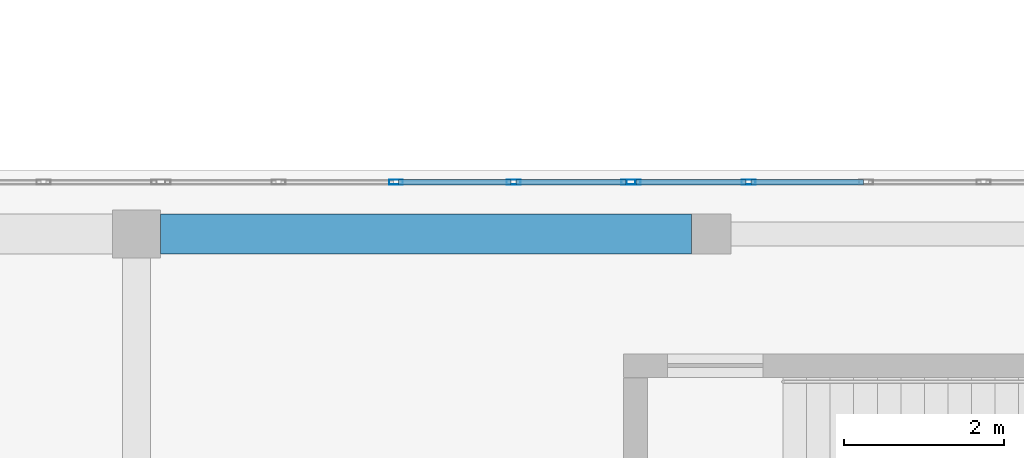
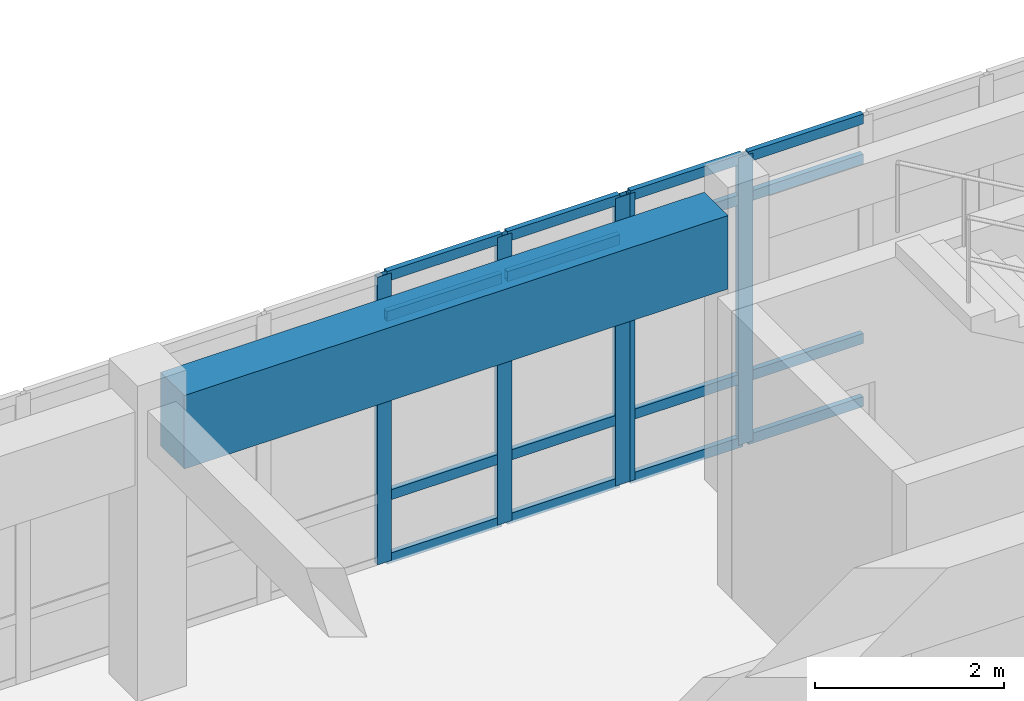
# One storey, part 23 of 91: 21 members, 1 beam, 2 elements without a shape of their own.
"""IFC4 building model written with IfcOpenShell, lengths in metres."""

from ifc_helpers import new_model, si_unit, direction, frame, origin, origin_2d, place, context, subcontext, project, spatial, rectangle, hollow_rectangle, extrude, material, layer, layer_set, material_profile, profile_set, type_object, element, aggregate, save


model = new_model("IFC4")

# Units and contexts
model_context = context("Model", 3, precision=1e-05, world=origin(), true_north=direction((0.0, 1.0)))
body_context = subcontext(model_context, "Body", "Model", "MODEL_VIEW")
ifc_project = project(units=[si_unit("LENGTHUNIT", "METRE"), si_unit("AREAUNIT", "SQUARE_METRE"), si_unit("VOLUMEUNIT", "CUBIC_METRE"), si_unit("PLANEANGLEUNIT", "RADIAN"), si_unit("MASSUNIT", "GRAM", prefix="KILO")], contexts=[model_context])

# Site, building, storey
site_placement = place(None, origin())
site = spatial("IfcSite", under=ifc_project, at=site_placement, CompositionType="ELEMENT")
building_placement = place(site_placement, origin())
building = spatial("IfcBuilding", under=site, at=building_placement, Name="Valcora Specialist Clinic", CompositionType="ELEMENT")
storey_placement = place(building_placement, frame((0.0, 0.0, 13.60009765625)))
storey = spatial("IfcBuildingStorey", under=building, at=storey_placement, Name="L03", CompositionType="ELEMENT", Elevation=13.60009765625)

# Beam
ifc_material_1 = material(Name="Concrete C40/50", Category="concrete")
ifc_material_profile_1 = material_profile(ifc_material_1, rectangle(XDim=0.5, YDim=0.949951171875, at=origin_2d()), Name="RC-BM-500X950")
ifc_profile_set_1 = profile_set([ifc_material_profile_1], Name="Concrete C40/50")
beam_type = type_object("IfcBeamType", Name="TY-BM-TR500X950", PredefinedType="BEAM", material=ifc_profile_set_1)
beam_placement = place(storey_placement, frame((23.699951171875, 22.0, 3.244873046875), z_axis=(1.0, 0.0, 0.0), x_axis=(0.0, 1.0, 0.0)))
element("IfcBeam", 1, at=beam_placement, inside=storey, type_object=beam_type, Name="Beam BM-L03-1050", PredefinedType="BEAM", context=body_context, shape_type="SweptSolid", body=[
    extrude(rectangle(XDim=0.5, YDim=0.949951171875, at=origin_2d()), origin(), (0.0, 0.0, 1.0), 6.650146484375),
])

# Curtain wall, members
ifc_material_2 = material(Name="Anodized Bronze Aluminium 6063-T6", Category="aluminium")
ifc_layer = layer(ifc_material_2, 0.175048828125)
ifc_layer_set = layer_set([ifc_layer], Name="Anodized Bronze Aluminium 6063-T6")
curtain_wall_type = type_object("IfcCurtainWallType", Name="TY-CW-V5F15", PredefinedType="NOTDEFINED", material=ifc_layer_set)
curtain_wall_1_placement = place(storey_placement, origin())
curtain_wall_1 = element("IfcCurtainWall", 2, at=curtain_wall_1_placement, inside=storey, type_object=curtain_wall_type, Name="Curtain wall CW-L03-159", PredefinedType="NOTDEFINED")
ifc_material_profile_2 = material_profile(ifc_material_2, hollow_rectangle(XDim=0.06494140625, YDim=0.175048828125, WallThickness=0.00390625, at=origin_2d()), Name="AL-MUL-65X175")
ifc_profile_set_2 = profile_set([ifc_material_profile_2], Name="Anodized Bronze Aluminium 6063-T6")
member_type_1 = type_object("IfcMemberType", Name="TY-CWM-65X175", PredefinedType="MULLION", material=ifc_profile_set_2)
member_1_placement = place(storey_placement, frame((26.64990234375, 22.64990234375, 0.0), z_axis=(0.0, 0.0, 1.0), x_axis=(0.0, 1.0, 0.0)))
member_1 = element("IfcMember", 3, at=member_1_placement, type_object=member_type_1, Name="CW-V5F-15 mullion 3", PredefinedType="MULLION", context=body_context, shape_type="SweptSolid", body=[
    extrude(hollow_rectangle(XDim=0.06494140625, YDim=0.175048828125, WallThickness=0.00390625, at=origin_2d()), origin(), (0.0, 0.0, 1.0), 3.719970703125),
])
member_2_placement = place(storey_placement, frame((28.122314453125, 22.64990234375, 0.0), z_axis=(0.0, 0.0, 1.0), x_axis=(0.0, 1.0, 0.0)))
member_2 = element("IfcMember", 4, at=member_2_placement, type_object=member_type_1, Name="CW-V5F-15 mullion 4", PredefinedType="MULLION", context=body_context, shape_type="SweptSolid", body=[
    extrude(hollow_rectangle(XDim=0.06494140625, YDim=0.175048828125, WallThickness=0.00390625, at=origin_2d()), origin(), (0.0, 0.0, 1.0), 3.719970703125),
])
member_3_placement = place(storey_placement, frame((29.56201171875, 22.64990234375, 0.0), z_axis=(0.0, 0.0, 1.0), x_axis=(0.0, 1.0, 0.0)))
member_3 = element("IfcMember", 5, at=member_3_placement, type_object=member_type_1, Name="CW-V5F-15 mullion 5", PredefinedType="MULLION", context=body_context, shape_type="SweptSolid", body=[
    extrude(hollow_rectangle(XDim=0.06494140625, YDim=0.175048828125, WallThickness=0.00390625, at=origin_2d()), origin(), (0.0, 0.0, 1.0), 3.719970703125),
])

curtain_wall_2_placement = place(storey_placement, origin())
curtain_wall_2 = element("IfcCurtainWall", 6, at=curtain_wall_2_placement, inside=storey, type_object=curtain_wall_type, Name="Curtain wall CW-L03-160", PredefinedType="NOTDEFINED")
member_4_placement = place(storey_placement, frame((29.626953125, 22.64990234375, 0.0), z_axis=(0.0, 0.0, 1.0), x_axis=(0.0, 1.0, 0.0)))
member_4 = element("IfcMember", 7, at=member_4_placement, type_object=member_type_1, Name="CW-V5F-15 mullion 1", PredefinedType="MULLION", context=body_context, shape_type="SweptSolid", body=[
    extrude(hollow_rectangle(XDim=0.06494140625, YDim=0.175048828125, WallThickness=0.00390625, at=origin_2d()), origin(), (0.0, 0.0, 1.0), 3.719970703125),
])
member_5_placement = place(storey_placement, frame((31.066650390625, 22.64990234375, 0.0), z_axis=(0.0, 0.0, 1.0), x_axis=(0.0, 1.0, 0.0)))
member_5 = element("IfcMember", 8, at=member_5_placement, type_object=member_type_1, Name="CW-V5F-15 mullion 2", PredefinedType="MULLION", context=body_context, shape_type="SweptSolid", body=[
    extrude(hollow_rectangle(XDim=0.06494140625, YDim=0.175048828125, WallThickness=0.00390625, at=origin_2d()), origin(), (0.0, 0.0, 1.0), 3.719970703125),
])

# Member
ifc_material_profile_3 = material_profile(ifc_material_2, hollow_rectangle(XDim=0.06494140625, YDim=0.1298828125, WallThickness=0.00390625, at=origin_2d()), Name="AL-TRN-65X130")
ifc_profile_set_3 = profile_set([ifc_material_profile_3], Name="Anodized Bronze Aluminium 6063-T6")
member_type_2 = type_object("IfcMemberType", Name="TY-CWT-65X130", PredefinedType="USERDEFINED", material=ifc_profile_set_3)
member_6_placement = place(storey_placement, frame((26.6826171875, 22.64990234375, 0.032470703125), z_axis=(1.0, 0.0, 0.0), x_axis=(0.0, 1.0, 0.0)))
member_6 = element("IfcMember", 9, at=member_6_placement, type_object=member_type_2, Name="CW-V5F-15 transom 3.1", ObjectType="TRANSOM", PredefinedType="USERDEFINED", context=body_context, shape_type="SweptSolid", body=[
    extrude(hollow_rectangle(XDim=0.06494140625, YDim=0.1298828125, WallThickness=0.00390625, at=origin_2d()), origin(), (0.0, 0.0, 1.0), 1.406982421875),
])

member_7_placement = place(storey_placement, frame((26.6826171875, 22.64990234375, 0.849853515625), z_axis=(1.0, 0.0, 0.0), x_axis=(0.0, 1.0, 0.0)))
member_7 = element("IfcMember", 10, at=member_7_placement, type_object=member_type_2, Name="CW-V5F-15 transom 3.2", ObjectType="TRANSOM", PredefinedType="USERDEFINED", context=body_context, shape_type="SweptSolid", body=[
    extrude(hollow_rectangle(XDim=0.06494140625, YDim=0.1298828125, WallThickness=0.00390625, at=origin_2d()), origin(), (0.0, 0.0, 1.0), 1.406982421875),
])

member_8_placement = place(storey_placement, frame((26.6826171875, 22.64990234375, 3.169921875), z_axis=(1.0, 0.0, 0.0), x_axis=(0.0, 1.0, 0.0)))
member_8 = element("IfcMember", 11, at=member_8_placement, type_object=member_type_2, Name="CW-V5F-15 transom 3.3", ObjectType="TRANSOM", PredefinedType="USERDEFINED", context=body_context, shape_type="SweptSolid", body=[
    extrude(hollow_rectangle(XDim=0.06494140625, YDim=0.1298828125, WallThickness=0.00390625, at=origin_2d()), origin(), (0.0, 0.0, 1.0), 1.406982421875),
])

member_9_placement = place(storey_placement, frame((26.6826171875, 22.64990234375, 3.6875), z_axis=(1.0, 0.0, 0.0), x_axis=(0.0, 1.0, 0.0)))
member_9 = element("IfcMember", 12, at=member_9_placement, type_object=member_type_2, Name="CW-V5F-15 transom 3.4", ObjectType="TRANSOM", PredefinedType="USERDEFINED", context=body_context, shape_type="SweptSolid", body=[
    extrude(hollow_rectangle(XDim=0.06494140625, YDim=0.1298828125, WallThickness=0.00390625, at=origin_2d()), origin(), (0.0, 0.0, 1.0), 1.406982421875),
])

member_10_placement = place(storey_placement, frame((28.15478515625, 22.64990234375, 0.032470703125), z_axis=(1.0, 0.0, 0.0), x_axis=(0.0, 1.0, 0.0)))
member_10 = element("IfcMember", 13, at=member_10_placement, type_object=member_type_2, Name="CW-V5F-15 transom 4.1", ObjectType="TRANSOM", PredefinedType="USERDEFINED", context=body_context, shape_type="SweptSolid", body=[
    extrude(hollow_rectangle(XDim=0.06494140625, YDim=0.1298828125, WallThickness=0.00390625, at=origin_2d()), origin(), (0.0, 0.0, 1.0), 1.37451171875),
])

member_11_placement = place(storey_placement, frame((28.15478515625, 22.64990234375, 0.849853515625), z_axis=(1.0, 0.0, 0.0), x_axis=(0.0, 1.0, 0.0)))
member_11 = element("IfcMember", 14, at=member_11_placement, type_object=member_type_2, Name="CW-V5F-15 transom 4.2", ObjectType="TRANSOM", PredefinedType="USERDEFINED", context=body_context, shape_type="SweptSolid", body=[
    extrude(hollow_rectangle(XDim=0.06494140625, YDim=0.1298828125, WallThickness=0.00390625, at=origin_2d()), origin(), (0.0, 0.0, 1.0), 1.37451171875),
])

member_12_placement = place(storey_placement, frame((28.15478515625, 22.64990234375, 3.169921875), z_axis=(1.0, 0.0, 0.0), x_axis=(0.0, 1.0, 0.0)))
member_12 = element("IfcMember", 15, at=member_12_placement, type_object=member_type_2, Name="CW-V5F-15 transom 4.3", ObjectType="TRANSOM", PredefinedType="USERDEFINED", context=body_context, shape_type="SweptSolid", body=[
    extrude(hollow_rectangle(XDim=0.06494140625, YDim=0.1298828125, WallThickness=0.00390625, at=origin_2d()), origin(), (0.0, 0.0, 1.0), 1.37451171875),
])

member_13_placement = place(storey_placement, frame((28.15478515625, 22.64990234375, 3.6875), z_axis=(1.0, 0.0, 0.0), x_axis=(0.0, 1.0, 0.0)))
member_13 = element("IfcMember", 16, at=member_13_placement, type_object=member_type_2, Name="CW-V5F-15 transom 4.4", ObjectType="TRANSOM", PredefinedType="USERDEFINED", context=body_context, shape_type="SweptSolid", body=[
    extrude(hollow_rectangle(XDim=0.06494140625, YDim=0.1298828125, WallThickness=0.00390625, at=origin_2d()), origin(), (0.0, 0.0, 1.0), 1.37451171875),
])

aggregate(curtain_wall_1, [member_1, member_2, member_3, member_6, member_7, member_8, member_9, member_10, member_11, member_12, member_13])

member_14_placement = place(storey_placement, frame((29.659423828125, 22.64990234375, 0.032470703125), z_axis=(1.0, 0.0, 0.0), x_axis=(0.0, 1.0, 0.0)))
member_14 = element("IfcMember", 17, at=member_14_placement, type_object=member_type_2, Name="CW-V5F-15 transom 1.1", ObjectType="TRANSOM", PredefinedType="USERDEFINED", context=body_context, shape_type="SweptSolid", body=[
    extrude(hollow_rectangle(XDim=0.06494140625, YDim=0.1298828125, WallThickness=0.00390625, at=origin_2d()), origin(), (0.0, 0.0, 1.0), 1.374755859375),
])

member_15_placement = place(storey_placement, frame((29.659423828125, 22.64990234375, 0.849853515625), z_axis=(1.0, 0.0, 0.0), x_axis=(0.0, 1.0, 0.0)))
member_15 = element("IfcMember", 18, at=member_15_placement, type_object=member_type_2, Name="CW-V5F-15 transom 1.2", ObjectType="TRANSOM", PredefinedType="USERDEFINED", context=body_context, shape_type="SweptSolid", body=[
    extrude(hollow_rectangle(XDim=0.06494140625, YDim=0.1298828125, WallThickness=0.00390625, at=origin_2d()), origin(), (0.0, 0.0, 1.0), 1.374755859375),
])

member_16_placement = place(storey_placement, frame((29.659423828125, 22.64990234375, 3.169921875), z_axis=(1.0, 0.0, 0.0), x_axis=(0.0, 1.0, 0.0)))
member_16 = element("IfcMember", 19, at=member_16_placement, type_object=member_type_2, Name="CW-V5F-15 transom 1.3", ObjectType="TRANSOM", PredefinedType="USERDEFINED", context=body_context, shape_type="SweptSolid", body=[
    extrude(hollow_rectangle(XDim=0.06494140625, YDim=0.1298828125, WallThickness=0.00390625, at=origin_2d()), origin(), (0.0, 0.0, 1.0), 1.374755859375),
])

member_17_placement = place(storey_placement, frame((29.659423828125, 22.64990234375, 3.6875), z_axis=(1.0, 0.0, 0.0), x_axis=(0.0, 1.0, 0.0)))
member_17 = element("IfcMember", 20, at=member_17_placement, type_object=member_type_2, Name="CW-V5F-15 transom 1.4", ObjectType="TRANSOM", PredefinedType="USERDEFINED", context=body_context, shape_type="SweptSolid", body=[
    extrude(hollow_rectangle(XDim=0.06494140625, YDim=0.1298828125, WallThickness=0.00390625, at=origin_2d()), origin(), (0.0, 0.0, 1.0), 1.374755859375),
])

member_18_placement = place(storey_placement, frame((31.09912109375, 22.64990234375, 0.032470703125), z_axis=(1.0, 0.0, 0.0), x_axis=(0.0, 1.0, 0.0)))
member_18 = element("IfcMember", 21, at=member_18_placement, type_object=member_type_2, Name="CW-V5F-15 transom 2.1", ObjectType="TRANSOM", PredefinedType="USERDEFINED", context=body_context, shape_type="SweptSolid", body=[
    extrude(hollow_rectangle(XDim=0.06494140625, YDim=0.1298828125, WallThickness=0.00390625, at=origin_2d()), origin(), (0.0, 0.0, 1.0), 1.4072265625),
])

member_19_placement = place(storey_placement, frame((31.09912109375, 22.64990234375, 0.849853515625), z_axis=(1.0, 0.0, 0.0), x_axis=(0.0, 1.0, 0.0)))
member_19 = element("IfcMember", 22, at=member_19_placement, type_object=member_type_2, Name="CW-V5F-15 transom 2.2", ObjectType="TRANSOM", PredefinedType="USERDEFINED", context=body_context, shape_type="SweptSolid", body=[
    extrude(hollow_rectangle(XDim=0.06494140625, YDim=0.1298828125, WallThickness=0.00390625, at=origin_2d()), origin(), (0.0, 0.0, 1.0), 1.4072265625),
])

member_20_placement = place(storey_placement, frame((31.09912109375, 22.64990234375, 3.169921875), z_axis=(1.0, 0.0, 0.0), x_axis=(0.0, 1.0, 0.0)))
member_20 = element("IfcMember", 23, at=member_20_placement, type_object=member_type_2, Name="CW-V5F-15 transom 2.3", ObjectType="TRANSOM", PredefinedType="USERDEFINED", context=body_context, shape_type="SweptSolid", body=[
    extrude(hollow_rectangle(XDim=0.06494140625, YDim=0.1298828125, WallThickness=0.00390625, at=origin_2d()), origin(), (0.0, 0.0, 1.0), 1.4072265625),
])

member_21_placement = place(storey_placement, frame((31.09912109375, 22.64990234375, 3.6875), z_axis=(1.0, 0.0, 0.0), x_axis=(0.0, 1.0, 0.0)))
member_21 = element("IfcMember", 24, at=member_21_placement, type_object=member_type_2, Name="CW-V5F-15 transom 2.4", ObjectType="TRANSOM", PredefinedType="USERDEFINED", context=body_context, shape_type="SweptSolid", body=[
    extrude(hollow_rectangle(XDim=0.06494140625, YDim=0.1298828125, WallThickness=0.00390625, at=origin_2d()), origin(), (0.0, 0.0, 1.0), 1.4072265625),
])

aggregate(curtain_wall_2, [member_4, member_5, member_14, member_15, member_16, member_17, member_18, member_19, member_20, member_21])

save(model, "model.ifc")
